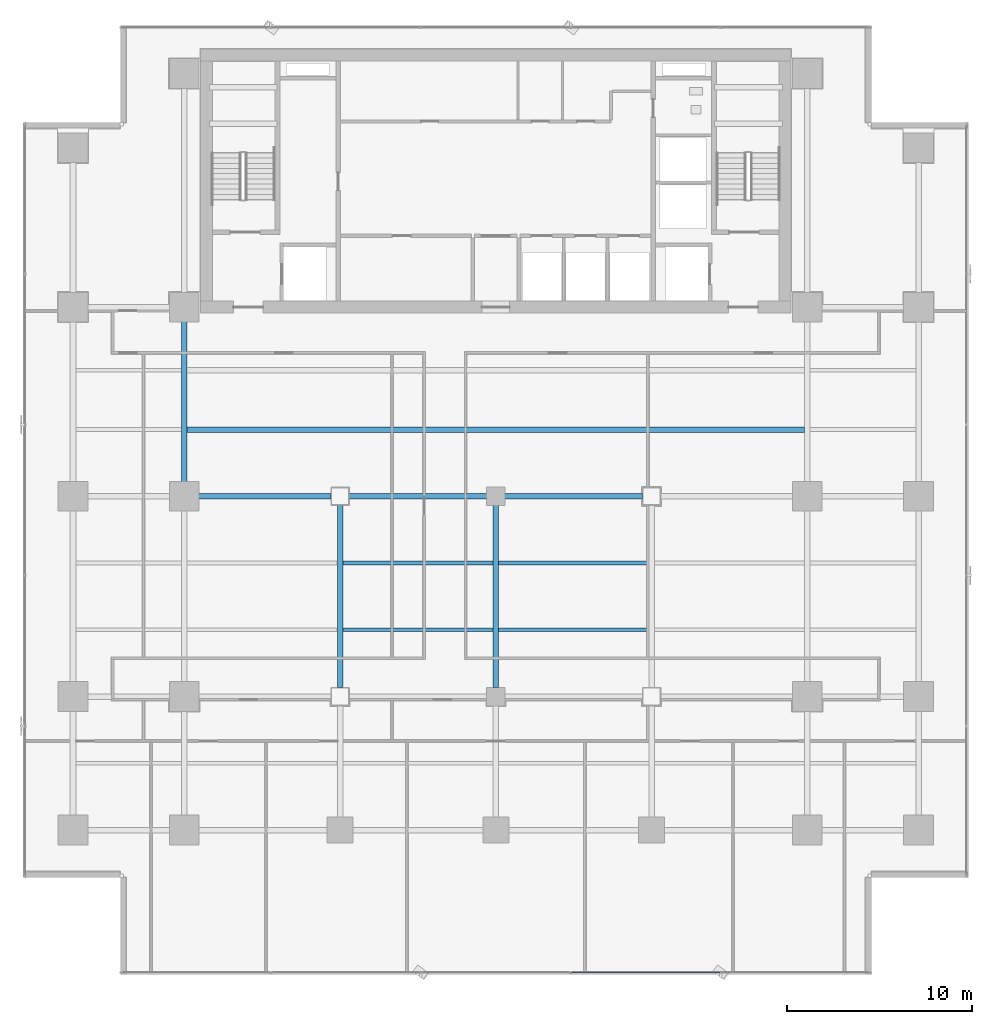
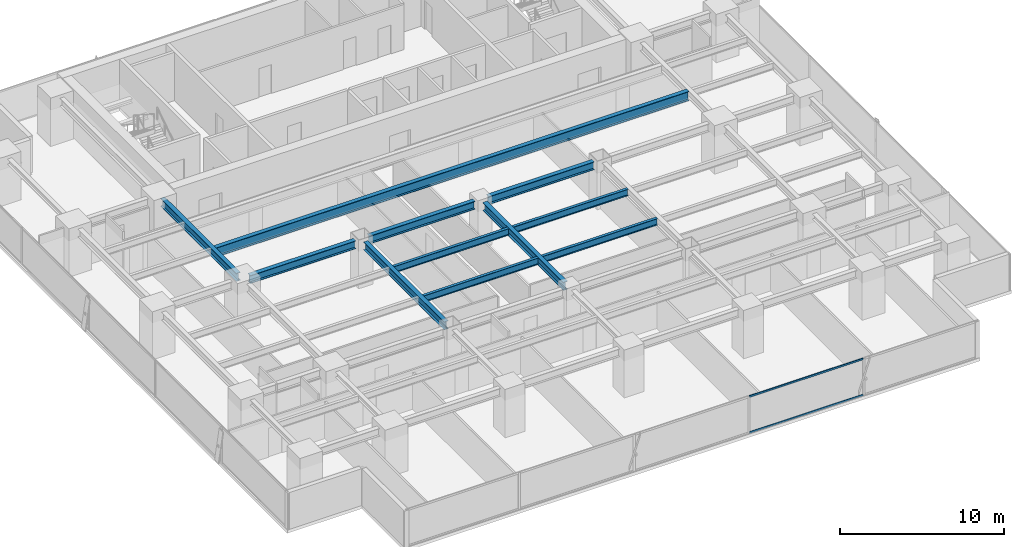
# One storey, part 11 of 37: 11 beams, 2 members, 1 element without a shape of its own.
"""IFC4 building model written with IfcOpenShell, lengths in metres."""

import ifcopenshell
import ifcopenshell.guid

model = None  # the IFC model being written
_history = None  # IfcOwnerHistory: only IFC2X3 demands one
_inside = {}  # id of a spatial element -> (the spatial element, [elements in it])
_under = {}  # id of a project, library or spatial element -> (it, [spatial elements below it])
_declared = {}  # id of a project -> (the project, [libraries it declares])
_typed = {}  # id of a type object -> (the type object, [elements of that type])
_made_of = {}  # id of a material, layer set ... -> (it, [elements and type objects made of it])


def new_model(schema):
    """Start an empty IFC model of exactly this schema.

    Asked for "IFC4X3", IfcOpenShell would pick the latest addendum, in which some entities
    have other attributes; the version numbers below select the first issue.
    IFC2X3 requires an IfcOwnerHistory on every rooted entity: one is made here for all.
    """
    global model, _history
    if schema == "IFC4X3":
        model = ifcopenshell.file(schema_version=(4, 3, 0, 0))
    else:
        model = ifcopenshell.file(schema=schema)
    _inside.clear()
    _under.clear()
    _declared.clear()
    _typed.clear()
    _made_of.clear()
    _history = None
    if model.schema == "IFC2X3":
        org = make("IfcOrganization", Name="unknown")
        user = make(
            "IfcPersonAndOrganization",
            ThePerson=make("IfcPerson", FamilyName="unknown"),
            TheOrganization=org,
        )
        app = make(
            "IfcApplication",
            ApplicationDeveloper=org,
            Version="unknown",
            ApplicationFullName="unknown",
            ApplicationIdentifier="unknown",
        )
        _history = make(
            "IfcOwnerHistory",
            OwningUser=user,
            OwningApplication=app,
            ChangeAction="ADDED",
            CreationDate=0,
        )
    return model


def make(cls, **values):
    """One entity of the class cls with the attributes given. An attribute that is None is left unset."""
    return model.create_entity(
        cls, **{name: value for name, value in values.items() if value is not None}
    )


def rooted(cls, **values):
    """An entity with a GlobalId (a new one), such as an element, a storey or a relation."""
    return make(cls, GlobalId=ifcopenshell.guid.new(), OwnerHistory=_history, **values)


def si_unit(unit_type, name, prefix=None):
    """IfcSIUnit, for example si_unit("LENGTHUNIT", "METRE", prefix="MILLI")."""
    return make("IfcSIUnit", UnitType=unit_type, Prefix=prefix, Name=name)


def assignment(units):
    """IfcUnitAssignment: the units of a project."""
    return None if units is None else make("IfcUnitAssignment", Units=units)


def point(xyz):
    """IfcCartesianPoint."""
    return None if xyz is None else make("IfcCartesianPoint", Coordinates=xyz)


def direction(xyz):
    """IfcDirection."""
    return None if xyz is None else make("IfcDirection", DirectionRatios=xyz)


def frame(location, z_axis=None, x_axis=None):
    """IfcAxis2Placement3D, a coordinate frame: its origin and axes. An axis left out is left unset."""
    return make(
        "IfcAxis2Placement3D",
        Location=point(location),
        Axis=direction(z_axis),
        RefDirection=direction(x_axis),
    )


def frame_2d(location, x_axis=None):
    """IfcAxis2Placement2D, a coordinate frame in the plane: its origin and x axis."""
    return make(
        "IfcAxis2Placement2D", Location=point(location), RefDirection=direction(x_axis)
    )


def origin():
    """The frame at (0, 0, 0) with its axes left unset."""
    return frame((0.0, 0.0, 0.0))


def origin_2d():
    """The frame at (0, 0) in the plane with its x axis left unset."""
    return frame_2d((0.0, 0.0))


def place(relative_to, where):
    """IfcLocalPlacement: puts the frame where relative to a parent placement (None: the world)."""
    return make(
        "IfcLocalPlacement", PlacementRelTo=relative_to, RelativePlacement=where
    )


def context(
    kind, dimensions, precision=None, world=None, true_north=None, identifier=None
):
    """IfcGeometricRepresentationContext, for example the 3D "Model" context."""
    return make(
        "IfcGeometricRepresentationContext",
        ContextIdentifier=identifier,
        ContextType=kind,
        CoordinateSpaceDimension=dimensions,
        Precision=precision,
        WorldCoordinateSystem=world,
        TrueNorth=true_north,
    )


def subcontext(parent, identifier, kind, view, scale=None):
    """IfcGeometricRepresentationSubContext, for example "Body" below "Model"."""
    return make(
        "IfcGeometricRepresentationSubContext",
        ContextIdentifier=identifier,
        ContextType=kind,
        ParentContext=parent,
        TargetScale=scale,
        TargetView=view,
    )


def project(units=None, contexts=None):
    """IfcProject with its units and contexts."""
    return rooted(
        "IfcProject",
        Name="project",
        RepresentationContexts=contexts,
        UnitsInContext=assignment(units),
    )


def spatial(cls, under=None, at=None, **own):
    """A site, building, storey or space (cls), placed at a placement, below another one or the project."""
    s = rooted(cls, ObjectPlacement=at, **own)
    if under is not None:
        _under.setdefault(under.id(), (under, []))[1].append(s)
    return s


def profile(cls, at=None, kind="AREA", **sizes):
    """A parametric profile (cls). Its sizes go by their IFC names, for example OverallWidth=200.0."""
    return make(cls, ProfileType=kind, Position=at, **sizes)


def hollow_rectangle(**sizes):
    """IfcRectangleHollowProfileDef."""
    return profile("IfcRectangleHollowProfileDef", **sizes)


def i_section(**sizes):
    """IfcIShapeProfileDef."""
    return profile("IfcIShapeProfileDef", **sizes)


def extrude(swept, where, along, depth):
    """IfcExtrudedAreaSolid: the profile swept, set in the frame where, extruded along a direction by depth."""
    return make(
        "IfcExtrudedAreaSolid",
        SweptArea=swept,
        Position=where,
        ExtrudedDirection=direction(along),
        Depth=depth,
    )


def shape(context_of_items, identifier, shape_type, items):
    """IfcShapeRepresentation: the items that make up one representation, for example the "Body"."""
    return make(
        "IfcShapeRepresentation",
        ContextOfItems=context_of_items,
        RepresentationIdentifier=identifier,
        RepresentationType=shape_type,
        Items=items,
    )


def source(mapping_origin, context_of_items, identifier, shape_type, items):
    """IfcRepresentationMap: a shape defined once, which mapped items show again and again."""
    return make(
        "IfcRepresentationMap",
        MappingOrigin=mapping_origin,
        MappedRepresentation=shape(context_of_items, identifier, shape_type, items),
    )


def transform(
    local_origin,
    x_axis=None,
    y_axis=None,
    z_axis=None,
    scale=None,
    scale2=None,
    scale3=None,
    uniform=True,
):
    """IfcCartesianTransformationOperator3D, or its non-uniform kind. x_axis, y_axis, z_axis: its Axis1, 2, 3."""
    if uniform:
        return make(
            "IfcCartesianTransformationOperator3D",
            Axis1=direction(x_axis),
            Axis2=direction(y_axis),
            LocalOrigin=point(local_origin),
            Scale=scale,
            Axis3=direction(z_axis),
        )
    return make(
        "IfcCartesianTransformationOperator3DnonUniform",
        Axis1=direction(x_axis),
        Axis2=direction(y_axis),
        LocalOrigin=point(local_origin),
        Scale=scale,
        Axis3=direction(z_axis),
        Scale2=scale2,
        Scale3=scale3,
    )


def mapped(mapping_source, mapping_target):
    """IfcMappedItem: shows the shape of a source again, moved by a transform."""
    return make(
        "IfcMappedItem", MappingSource=mapping_source, MappingTarget=mapping_target
    )


def material(Name=None, Category=None):
    """IfcMaterial."""
    return make("IfcMaterial", Name=Name, Category=Category)


def layer(
    of_material, thickness, ventilated=None, Name=None, Category=None, Priority=None
):
    """IfcMaterialLayer: one layer of a wall or slab, of a material (None: an air gap)."""
    return make(
        "IfcMaterialLayer",
        Material=of_material,
        LayerThickness=thickness,
        IsVentilated=ventilated,
        Name=Name,
        Category=Category,
        Priority=Priority,
    )


def layer_set(layers, Name=None):
    """IfcMaterialLayerSet."""
    return make("IfcMaterialLayerSet", MaterialLayers=layers, LayerSetName=Name)


def material_profile(
    of_material, cross_section, Name=None, Category=None, Priority=None
):
    """IfcMaterialProfile: a cross section and its material."""
    return make(
        "IfcMaterialProfile",
        Name=Name,
        Material=of_material,
        Profile=cross_section,
        Priority=Priority,
        Category=Category,
    )


def profile_set(profiles, Name=None, composite=None):
    """IfcMaterialProfileSet."""
    return make(
        "IfcMaterialProfileSet",
        Name=Name,
        MaterialProfiles=profiles,
        CompositeProfile=composite,
    )


def made_of(thing, what):
    """Note that an element or type object is made of a material, layer set ...; save() writes the relation."""
    if what is not None:
        _made_of.setdefault(what.id(), (what, []))[1].append(thing)
    return thing


def type_object(cls, material=None, **own):
    """A type object (cls), such as IfcWallType, which elements share."""
    return made_of(rooted(cls, **own), material)


def element(
    cls,
    number,
    at=None,
    inside=None,
    cuts=None,
    type_object=None,
    material=None,
    context=None,
    identifier="Body",
    shape_type=None,
    held_by="IfcProductDefinitionShape",
    body=None,
    shapes=None,
    **own,
):
    """One element of the class cls, such as IfcWall. Its Tag is "e" and its number.

    at: its placement. inside: the storey or other place that contains it. cuts: it is an
    opening in that element (IfcRelVoidsElement). A single representation is given by context,
    identifier, shape_type and body (its items); several are given by shapes. held_by: the class
    of the entity that holds the representations. save() writes the other relations.
    """
    e = rooted(cls, Tag="e%d" % number, ObjectPlacement=at, **own)
    if body is not None:
        shapes = [shape(context, identifier, shape_type, body)]
    if shapes is not None:
        e.Representation = make(held_by, Representations=shapes)
    if inside is not None:
        _inside.setdefault(inside.id(), (inside, []))[1].append(e)
    if cuts is not None:
        rooted(
            "IfcRelVoidsElement", RelatingBuildingElement=cuts, RelatedOpeningElement=e
        )
    if type_object is not None:
        _typed.setdefault(type_object.id(), (type_object, []))[1].append(e)
    return made_of(e, material)


def aggregate(whole, parts):
    """IfcRelAggregates: a whole, such as a stair, and the parts it consists of."""
    return rooted("IfcRelAggregates", RelatingObject=whole, RelatedObjects=parts)


def save(model, path):
    """Write the relations noted so far, then the file.

    IfcRelAggregates (storeys below a building ...), IfcRelContainedInSpatialStructure (elements
    in a storey), IfcRelDefinesByType, IfcRelAssociatesMaterial and IfcRelDeclares: one each for
    every whole, place, type object, material and project.
    """
    for whole, parts in _under.values():
        aggregate(whole, parts)
    for where, things in _inside.values():
        rooted(
            "IfcRelContainedInSpatialStructure",
            RelatedElements=things,
            RelatingStructure=where,
        )
    for kind, things in _typed.values():
        rooted("IfcRelDefinesByType", RelatedObjects=things, RelatingType=kind)
    for what, things in _made_of.values():
        rooted("IfcRelAssociatesMaterial", RelatedObjects=things, RelatingMaterial=what)
    for by, libraries in _declared.values():
        rooted("IfcRelDeclares", RelatingContext=by, RelatedDefinitions=libraries)
    model.write(path)


model = new_model("IFC4")

# Units and contexts
model_context = context("Model", 3, precision=1e-05, world=origin(), true_north=direction((0.0, 1.0)))
body_context = subcontext(model_context, "Body", "Model", "MODEL_VIEW")
ifc_project = project(units=[si_unit("LENGTHUNIT", "METRE"), si_unit("AREAUNIT", "SQUARE_METRE"), si_unit("VOLUMEUNIT", "CUBIC_METRE"), si_unit("PLANEANGLEUNIT", "RADIAN"), si_unit("MASSUNIT", "GRAM", prefix="KILO")], contexts=[model_context])

# Site, building, storey
site_placement = place(None, origin())
site = spatial("IfcSite", under=ifc_project, at=site_placement, CompositionType="ELEMENT")
building_placement = place(site_placement, origin())
building = spatial("IfcBuilding", under=site, at=building_placement, Name="Sumidabori Civic Tower", CompositionType="ELEMENT")
storey_placement = place(building_placement, frame((0.0, 0.0, 88.39990234375)))
storey = spatial("IfcBuildingStorey", under=building, at=storey_placement, Name="L22", CompositionType="ELEMENT", Elevation=88.39990234375)

# Beams
ifc_material_1 = material(Name="Steel SN490", Category="steel")
ifc_material_profile_1 = material_profile(ifc_material_1, i_section(OverallWidth=0.300048828125, OverallDepth=0.60009765625, WebThickness=0.015380859375, FlangeThickness=0.030029296875, at=origin_2d()), Name="HE 600 B")
ifc_profile_set_1 = profile_set([ifc_material_profile_1], Name="Steel SN490")
beam_type_1 = type_object("IfcBeamType", Name="BM-GIRD-600", PredefinedType="BEAM", material=ifc_profile_set_1)
shared_shape_1 = source(origin(), body_context, "Body", "SweptSolid", [
    extrude(i_section(OverallWidth=0.300048828125, OverallDepth=0.60009765625, WebThickness=0.015380859375, FlangeThickness=0.030029296875, at=origin_2d()), origin(), (0.0, 0.0, 1.0), 7.440185546875),
])
beam_1_placement = place(storey_placement, frame((-16.320068359375, 0.0, 3.06005859375), z_axis=(1.0, 0.0, 0.0), x_axis=(0.0, 1.0, 0.0)))
element("IfcBeam", 1, at=beam_1_placement, inside=storey, type_object=beam_type_1, Name="Primary Girder L22 GX-14", PredefinedType="BEAM", context=body_context, shape_type="MappedRepresentation", body=[
    mapped(shared_shape_1, transform((0.0, 0.0, 0.0), x_axis=(1.0, 0.0, 0.0), y_axis=(0.0, 1.0, 0.0), z_axis=(0.0, 0.0, 1.0), scale=1.0)),
])
shared_shape_2 = source(origin(), body_context, "Body", "SweptSolid", [
    extrude(i_section(OverallWidth=0.300048828125, OverallDepth=0.60009765625, WebThickness=0.015380859375, FlangeThickness=0.030029296875, at=origin_2d()), origin(), (0.0, 0.0, 1.0), 7.43994140625),
])
for number, where, z_axis, x_axis, name in (
    (2, (-7.919921875, 0.0, 3.06005859375), (1.0, 0.0, 0.0), (0.0, 1.0, 0.0), "Primary Girder L22 GX-15"),
    (3, (0.47998046875, 0.0, 3.06005859375), (1.0, 0.0, 0.0), (0.0, 1.0, 0.0), "Primary Girder L22 GX-16"),
):
    element("IfcBeam", number, at=place(storey_placement, frame(where, z_axis=z_axis, x_axis=x_axis)), inside=storey, type_object=beam_type_1, Name=name, PredefinedType="BEAM", context=body_context, shape_type="MappedRepresentation", body=[
        mapped(shared_shape_2, transform((0.0, 0.0, 0.0), x_axis=(1.0, 0.0, 0.0), y_axis=(0.0, 1.0, 0.0), z_axis=(0.0, 0.0, 1.0), scale=1.0)),
    ])
shared_shape_3 = source(origin(), body_context, "Body", "SweptSolid", [
    extrude(i_section(OverallWidth=0.300048828125, OverallDepth=0.60009765625, WebThickness=0.015380859375, FlangeThickness=0.030029296875, at=origin_2d()), origin(), (0.0, 0.0, 1.0), 9.840087890625),
])
for number, where, z_axis, x_axis, name in (
    (4, (-8.39990234375, -10.320068359375, 3.06005859375), (0.0, 1.0, 0.0), (-1.0, 0.0, 0.0), "Primary Girder L22 GY-30"),
    (5, (0.0, -10.320068359375, 3.06005859375), (0.0, 1.0, 0.0), (-1.0, 0.0, 0.0), "Primary Girder L22 GY-32"),
):
    element("IfcBeam", number, at=place(storey_placement, frame(where, z_axis=z_axis, x_axis=x_axis)), inside=storey, type_object=beam_type_1, Name=name, PredefinedType="BEAM", context=body_context, shape_type="MappedRepresentation", body=[
        mapped(shared_shape_3, transform((0.0, 0.0, 0.0), x_axis=(1.0, 0.0, 0.0), y_axis=(0.0, 1.0, 0.0), z_axis=(0.0, 0.0, 1.0), scale=1.0)),
    ])
shared_shape_4 = source(origin(), body_context, "Body", "SweptSolid", [
    extrude(i_section(OverallWidth=0.300048828125, OverallDepth=0.60009765625, WebThickness=0.015380859375, FlangeThickness=0.030029296875, at=origin_2d()), origin(), (0.0, 0.0, 1.0), 9.239990234375),
])
beam_2_placement = place(storey_placement, frame((-16.800048828125, 0.47998046875, 3.06005859375), z_axis=(0.0, 1.0, 0.0), x_axis=(-1.0, 0.0, 0.0)))
element("IfcBeam", 6, at=beam_2_placement, inside=storey, type_object=beam_type_1, Name="Primary Girder L22 GY-27", PredefinedType="BEAM", context=body_context, shape_type="MappedRepresentation", body=[
    mapped(shared_shape_4, transform((0.0, 0.0, 0.0), x_axis=(1.0, 0.0, 0.0), y_axis=(0.0, 1.0, 0.0), z_axis=(0.0, 0.0, 1.0), scale=1.0)),
])
ifc_material_profile_2 = material_profile(ifc_material_1, i_section(OverallWidth=0.300048828125, OverallDepth=0.699951171875, WebThickness=0.01708984375, FlangeThickness=0.031982421875, at=origin_2d()), Name="HE 700 B")
ifc_profile_set_2 = profile_set([ifc_material_profile_2], Name="Steel SN490")
beam_type_2 = type_object("IfcBeamType", Name="BM-GIRD-700", PredefinedType="BEAM", material=ifc_profile_set_2)
shared_shape_5 = source(origin(), body_context, "Body", "SweptSolid", [
    extrude(i_section(OverallWidth=0.300048828125, OverallDepth=0.699951171875, WebThickness=0.01708984375, FlangeThickness=0.031982421875, at=origin_2d()), origin(), (0.0, 0.0, 1.0), 33.2998046875),
])
beam_3_placement = place(storey_placement, frame((-16.64990234375, 3.60009765625, 3.010009765625), z_axis=(1.0, 0.0, 0.0), x_axis=(0.0, 1.0, 0.0)))
element("IfcBeam", 7, at=beam_3_placement, inside=storey, type_object=beam_type_2, Name="North Bay Floor Beam L22 JSTN-53", PredefinedType="BEAM", context=body_context, shape_type="MappedRepresentation", body=[
    mapped(shared_shape_5, transform((0.0, 0.0, 0.0), x_axis=(1.0, 0.0, 0.0), y_axis=(0.0, 1.0, 0.0), z_axis=(0.0, 0.0, 1.0), scale=1.0)),
])
ifc_material_profile_3 = material_profile(ifc_material_1, i_section(OverallWidth=0.199951171875, OverallDepth=0.5, WebThickness=0.01025390625, FlangeThickness=0.01611328125, at=origin_2d()), Name="IPE 500")
ifc_profile_set_3 = profile_set([ifc_material_profile_3], Name="Steel SN490")
beam_type_3 = type_object("IfcBeamType", Name="BM-JST-500", PredefinedType="JOIST", material=ifc_profile_set_3)
shared_shape_6 = source(origin(), body_context, "Body", "SweptSolid", [
    extrude(i_section(OverallWidth=0.199951171875, OverallDepth=0.5, WebThickness=0.01025390625, FlangeThickness=0.01611328125, at=origin_2d()), origin(), (0.0, 0.0, 1.0), 8.10009765625),
])
for number, where, z_axis, x_axis, name in (
    (8, (-8.25, -7.199951171875, 3.110107421875), (1.0, 0.0, 0.0), (0.0, 1.0, 0.0), "South Bay Floor Joist L22 JSTS-60"),
    (9, (0.14990234375, -7.199951171875, 3.110107421875), (1.0, 0.0, 0.0), (0.0, 1.0, 0.0), "South Bay Floor Joist L22 JSTS-61"),
    (10, (-8.25, -3.60009765625, 3.110107421875), (1.0, 0.0, 0.0), (0.0, 1.0, 0.0), "South Bay Floor Joist L22 JSTS-64"),
    (11, (0.14990234375, -3.60009765625, 3.110107421875), (1.0, 0.0, 0.0), (0.0, 1.0, 0.0), "South Bay Floor Joist L22 JSTS-65"),
):
    element("IfcBeam", number, at=place(storey_placement, frame(where, z_axis=z_axis, x_axis=x_axis)), inside=storey, type_object=beam_type_3, Name=name, PredefinedType="JOIST", context=body_context, shape_type="MappedRepresentation", body=[
        mapped(shared_shape_6, transform((0.0, 0.0, 0.0), x_axis=(1.0, 0.0, 0.0), y_axis=(0.0, 1.0, 0.0), z_axis=(0.0, 0.0, 1.0), scale=1.0)),
    ])

# Curtain wall, members
ifc_material_2 = material(Name="Anodised Bronze Aluminium AW-6063-T6", Category="aluminium")
ifc_layer = layer(ifc_material_2, 0.179931640625, Name="Anodised Bronze Aluminium AW-6063-T6")
ifc_layer_set = layer_set([ifc_layer], Name="Anodised Bronze Aluminium AW-6063-T6")
curtain_wall_type = type_object("IfcCurtainWallType", Name="CW-SYS-3", PredefinedType="NOTDEFINED", material=ifc_layer_set)
curtain_wall_placement = place(storey_placement, origin())
curtain_wall = element("IfcCurtainWall", 12, at=curtain_wall_placement, inside=storey, type_object=curtain_wall_type, Name="Curtain Wall CW:L22:R01", PredefinedType="NOTDEFINED")
ifc_material_profile_4 = material_profile(ifc_material_2, hollow_rectangle(XDim=0.06005859375, YDim=0.1298828125, WallThickness=0.0048828125, at=origin_2d()), Name="ALU TRANSOM 130x60")
ifc_profile_set_4 = profile_set([ifc_material_profile_4], Name="Anodised Bronze Aluminium AW-6063-T6")
member_type = type_object("IfcMemberType", Name="CW-TRN-130", PredefinedType="USERDEFINED", material=ifc_profile_set_4)
shared_shape_7 = source(origin(), body_context, "Body", "SweptSolid", [
    extrude(hollow_rectangle(XDim=0.06005859375, YDim=0.1298828125, WallThickness=0.0048828125, at=origin_2d()), origin(), (0.0, 0.0, 1.0), 8.023193359375),
])
member_1_placement = place(storey_placement, frame((4.076416015625, -25.679931640625, 0.030029296875), z_axis=(1.0, 0.0, 0.0), x_axis=(0.0, 1.0, 0.0)))
member_1 = element("IfcMember", 13, at=member_1_placement, type_object=member_type, Name="CW-3 transom 4.1", ObjectType="TRANSOM", PredefinedType="USERDEFINED", context=body_context, shape_type="MappedRepresentation", body=[
    mapped(shared_shape_7, transform((0.0, 0.0, 0.0), x_axis=(1.0, 0.0, 0.0), y_axis=(0.0, 1.0, 0.0), z_axis=(0.0, 0.0, 1.0), scale=1.0)),
])
member_2_placement = place(storey_placement, frame((4.076416015625, -25.679931640625, 2.710205078125), z_axis=(1.0, 0.0, 0.0), x_axis=(0.0, 1.0, 0.0)))
member_2 = element("IfcMember", 14, at=member_2_placement, type_object=member_type, Name="CW-3 transom 4.2", ObjectType="TRANSOM", PredefinedType="USERDEFINED", context=body_context, shape_type="MappedRepresentation", body=[
    mapped(shared_shape_7, transform((0.0, 0.0, 0.0), x_axis=(1.0, 0.0, 0.0), y_axis=(0.0, 1.0, 0.0), z_axis=(0.0, 0.0, 1.0), scale=1.0)),
])
aggregate(curtain_wall, [member_1, member_2])

save(model, "model.ifc")
